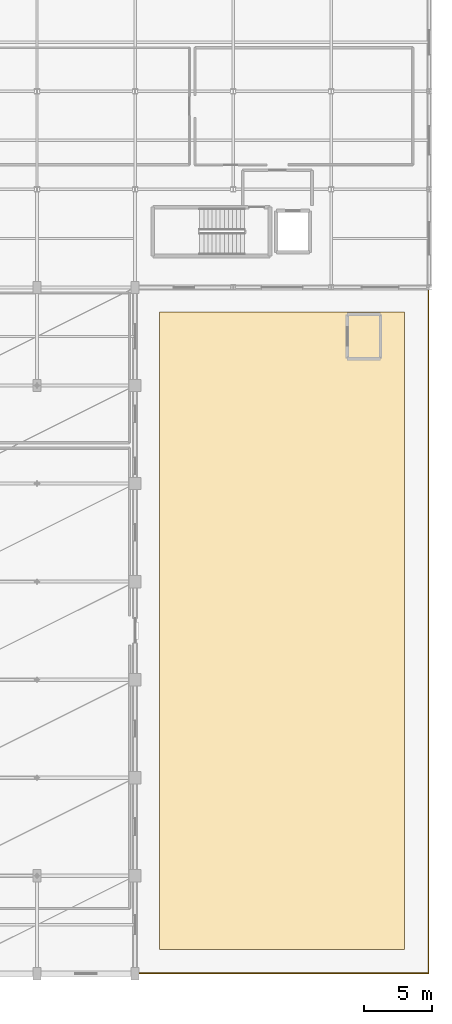
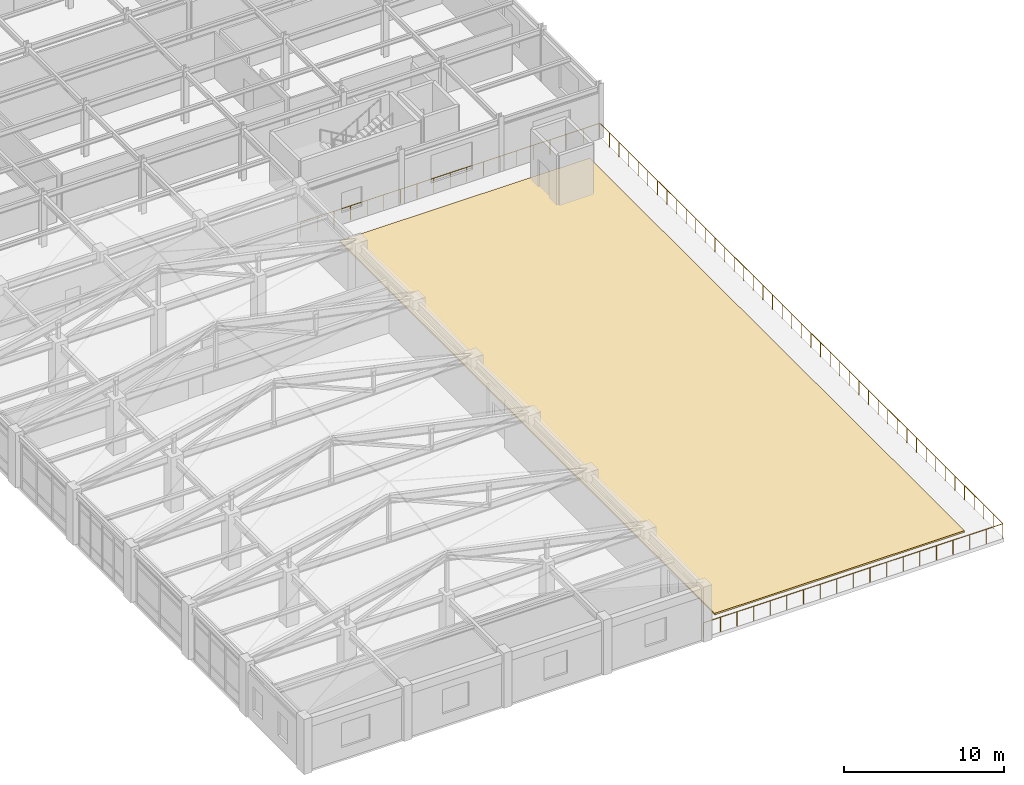
# One storey, part 110 of 113: 1 covering, 1 railing.
"""IFC4 building model written with IfcOpenShell, lengths in metres."""

from ifc_helpers import new_model, si_unit, direction, frame, origin, origin_2d, place, context, subcontext, project, spatial, polyline, circle, outline, extrude, material, layer, layer_set, type_object, element, save


model = new_model("IFC4")

# Units and contexts
model_context = context("Model", 3, precision=1e-05, world=origin(), true_north=direction((0.0, 1.0)))
body_context = subcontext(model_context, "Body", "Model", "MODEL_VIEW")
ifc_project = project(units=[si_unit("LENGTHUNIT", "METRE"), si_unit("AREAUNIT", "SQUARE_METRE"), si_unit("VOLUMEUNIT", "CUBIC_METRE"), si_unit("PLANEANGLEUNIT", "RADIAN"), si_unit("MASSUNIT", "GRAM", prefix="KILO")], contexts=[model_context])

# Site, building, storey
site_placement = place(None, origin())
site = spatial("IfcSite", under=ifc_project, at=site_placement, CompositionType="ELEMENT")
building_placement = place(site_placement, origin())
building = spatial("IfcBuilding", under=site, at=building_placement, Name="Carrowvane Square Congress Hotel", CompositionType="ELEMENT")
storey_placement = place(building_placement, frame((0.0, 0.0, 15.0)))
storey = spatial("IfcBuildingStorey", under=building, at=storey_placement, Name="L03", CompositionType="ELEMENT", Elevation=15.0)

# Covering
ifc_material_1 = material(Name="Extensive sedum green roof substrate", Category="earth")
ifc_layer_1 = layer(ifc_material_1, 0.1201171875)
ifc_layer_set_1 = layer_set([ifc_layer_1], Name="Extensive sedum green roof substrate")
covering_type = type_object("IfcCoveringType", Name="COV-ROOF-SEDUM", PredefinedType="ROOFING", material=ifc_layer_set_1)
covering_placement = place(storey_placement, origin())
element("IfcCovering", 1, at=covering_placement, inside=storey, type_object=covering_type, Name="L03 sedum green roof planting bed 1", PredefinedType="ROOFING", context=body_context, shape_type="SweptSolid", body=[
    extrude(outline(polyline([(164.60009765625, 7.199951171875), (164.60009765625, 54.0), (182.60009765625, 54.0), (182.60009765625, 7.199951171875), (164.60009765625, 7.199951171875)])), origin(), (0.0, 0.0, 1.0), 0.1201171875),
])

# Railing
ifc_material_2 = material(Name="Double-glazed low-E glass", Category="glass")
ifc_layer_2 = layer(ifc_material_2, 0.06005859375)
ifc_layer_set_2 = layer_set([ifc_layer_2], Name="Double-glazed low-E glass")
railing_type = type_object("IfcRailingType", Name="RLG-BAL-GLS1120", PredefinedType="BALUSTRADE", material=ifc_layer_set_2)
railing_placement = place(storey_placement, frame((162.800048828125, 55.75, 0.0)))
element("IfcRailing", 2, at=railing_placement, inside=storey, type_object=railing_type, Name="L03 protective terrace balustrade TER-V2-L03", PredefinedType="BALUSTRADE", context=body_context, shape_type="SweptSolid", body=[
    extrude(circle(Radius=0.02392578125, at=origin_2d()), frame((0.0, 0.0, 1.09619140625), z_axis=(1.0, 0.0, 0.0), x_axis=(0.0, 1.0, 0.0)), (0.0, 0.0, 1.0), 21.550048828125),
    extrude(circle(Radius=0.02392578125, at=origin_2d()), frame((21.550048828125, 0.0, 1.09619140625), z_axis=(0.0, -1.0, 0.0), x_axis=(1.0, 0.0, 0.0)), (0.0, 0.0, 1.0), 50.300048828125),
    extrude(circle(Radius=0.02392578125, at=origin_2d()), frame((21.550048828125, -50.300048828125, 1.09619140625), z_axis=(-1.0, 0.0, 0.0), x_axis=(0.0, -1.0, 0.0)), (0.0, 0.0, 1.0), 21.550048828125),
    extrude(circle(Radius=0.02099609375, at=origin_2d()), origin(), (0.0, 0.0, 1.0), 1.072021484375),
    extrude(circle(Radius=0.02099609375, at=origin_2d()), frame((1.197265625, 0.0, 0.0)), (0.0, 0.0, 1.0), 1.072021484375),
    extrude(circle(Radius=0.02099609375, at=origin_2d()), frame((2.39453125, 0.0, 0.0)), (0.0, 0.0, 1.0), 1.072021484375),
    extrude(circle(Radius=0.02099609375, at=origin_2d()), frame((3.591796875, 0.0, 0.0)), (0.0, 0.0, 1.0), 1.072021484375),
    extrude(circle(Radius=0.02099609375, at=origin_2d()), frame((4.788818359375, 0.0, 0.0)), (0.0, 0.0, 1.0), 1.072021484375),
    extrude(circle(Radius=0.02099609375, at=origin_2d()), frame((5.986083984375, 0.0, 0.0)), (0.0, 0.0, 1.0), 1.072021484375),
    extrude(circle(Radius=0.02099609375, at=origin_2d()), frame((7.183349609375, 0.0, 0.0)), (0.0, 0.0, 1.0), 1.072021484375),
    extrude(circle(Radius=0.02099609375, at=origin_2d()), frame((8.380615234375, 0.0, 0.0)), (0.0, 0.0, 1.0), 1.072021484375),
    extrude(circle(Radius=0.02099609375, at=origin_2d()), frame((9.577880859375, 0.0, 0.0)), (0.0, 0.0, 1.0), 1.072021484375),
    extrude(circle(Radius=0.02099609375, at=origin_2d()), frame((10.77490234375, 0.0, 0.0)), (0.0, 0.0, 1.0), 1.072021484375),
    extrude(circle(Radius=0.02099609375, at=origin_2d()), frame((11.97216796875, 0.0, 0.0)), (0.0, 0.0, 1.0), 1.072021484375),
    extrude(circle(Radius=0.02099609375, at=origin_2d()), frame((13.16943359375, 0.0, 0.0)), (0.0, 0.0, 1.0), 1.072021484375),
    extrude(circle(Radius=0.02099609375, at=origin_2d()), frame((14.36669921875, 0.0, 0.0)), (0.0, 0.0, 1.0), 1.072021484375),
    extrude(circle(Radius=0.02099609375, at=origin_2d()), frame((15.56396484375, 0.0, 0.0)), (0.0, 0.0, 1.0), 1.072021484375),
    extrude(circle(Radius=0.02099609375, at=origin_2d()), frame((16.76123046875, 0.0, 0.0)), (0.0, 0.0, 1.0), 1.072021484375),
    extrude(circle(Radius=0.02099609375, at=origin_2d()), frame((17.95849609375, 0.0, 0.0)), (0.0, 0.0, 1.0), 1.072021484375),
    extrude(circle(Radius=0.02099609375, at=origin_2d()), frame((19.155517578125, 0.0, 0.0)), (0.0, 0.0, 1.0), 1.072021484375),
    extrude(circle(Radius=0.02099609375, at=origin_2d()), frame((20.352783203125, 0.0, 0.0)), (0.0, 0.0, 1.0), 1.072021484375),
    extrude(circle(Radius=0.02099609375, at=origin_2d()), frame((21.550048828125, 0.0, 0.0)), (0.0, 0.0, 1.0), 1.072021484375),
    extrude(circle(Radius=0.02099609375, at=origin_2d()), frame((21.550048828125, -1.197509765625, 0.0)), (0.0, 0.0, 1.0), 1.072021484375),
    extrude(circle(Radius=0.02099609375, at=origin_2d()), frame((21.550048828125, -2.395263671875, 0.0)), (0.0, 0.0, 1.0), 1.072021484375),
    extrude(circle(Radius=0.02099609375, at=origin_2d()), frame((21.550048828125, -3.5927734375, 0.0)), (0.0, 0.0, 1.0), 1.072021484375),
    extrude(circle(Radius=0.02099609375, at=origin_2d()), frame((21.550048828125, -4.79052734375, 0.0)), (0.0, 0.0, 1.0), 1.072021484375),
    extrude(circle(Radius=0.02099609375, at=origin_2d()), frame((21.550048828125, -5.988037109375, 0.0)), (0.0, 0.0, 1.0), 1.072021484375),
    extrude(circle(Radius=0.02099609375, at=origin_2d()), frame((21.550048828125, -7.185791015625, 0.0)), (0.0, 0.0, 1.0), 1.072021484375),
    extrude(circle(Radius=0.02099609375, at=origin_2d()), frame((21.550048828125, -8.38330078125, 0.0)), (0.0, 0.0, 1.0), 1.072021484375),
    extrude(circle(Radius=0.02099609375, at=origin_2d()), frame((21.550048828125, -9.5810546875, 0.0)), (0.0, 0.0, 1.0), 1.072021484375),
    extrude(circle(Radius=0.02099609375, at=origin_2d()), frame((21.550048828125, -10.778564453125, 0.0)), (0.0, 0.0, 1.0), 1.072021484375),
    extrude(circle(Radius=0.02099609375, at=origin_2d()), frame((21.550048828125, -11.976318359375, 0.0)), (0.0, 0.0, 1.0), 1.072021484375),
    extrude(circle(Radius=0.02099609375, at=origin_2d()), frame((21.550048828125, -13.173828125, 0.0)), (0.0, 0.0, 1.0), 1.072021484375),
    extrude(circle(Radius=0.02099609375, at=origin_2d()), frame((21.550048828125, -14.371337890625, 0.0)), (0.0, 0.0, 1.0), 1.072021484375),
    extrude(circle(Radius=0.02099609375, at=origin_2d()), frame((21.550048828125, -15.569091796875, 0.0)), (0.0, 0.0, 1.0), 1.072021484375),
    extrude(circle(Radius=0.02099609375, at=origin_2d()), frame((21.550048828125, -16.7666015625, 0.0)), (0.0, 0.0, 1.0), 1.072021484375),
    extrude(circle(Radius=0.02099609375, at=origin_2d()), frame((21.550048828125, -17.96435546875, 0.0)), (0.0, 0.0, 1.0), 1.072021484375),
    extrude(circle(Radius=0.02099609375, at=origin_2d()), frame((21.550048828125, -19.161865234375, 0.0)), (0.0, 0.0, 1.0), 1.072021484375),
    extrude(circle(Radius=0.02099609375, at=origin_2d()), frame((21.550048828125, -20.359619140625, 0.0)), (0.0, 0.0, 1.0), 1.072021484375),
    extrude(circle(Radius=0.02099609375, at=origin_2d()), frame((21.550048828125, -21.55712890625, 0.0)), (0.0, 0.0, 1.0), 1.072021484375),
    extrude(circle(Radius=0.02099609375, at=origin_2d()), frame((21.550048828125, -22.7548828125, 0.0)), (0.0, 0.0, 1.0), 1.072021484375),
    extrude(circle(Radius=0.02099609375, at=origin_2d()), frame((21.550048828125, -23.952392578125, 0.0)), (0.0, 0.0, 1.0), 1.072021484375),
    extrude(circle(Radius=0.02099609375, at=origin_2d()), frame((21.550048828125, -25.14990234375, 0.0)), (0.0, 0.0, 1.0), 1.072021484375),
    extrude(circle(Radius=0.02099609375, at=origin_2d()), frame((21.550048828125, -26.34765625, 0.0)), (0.0, 0.0, 1.0), 1.072021484375),
    extrude(circle(Radius=0.02099609375, at=origin_2d()), frame((21.550048828125, -27.545166015625, 0.0)), (0.0, 0.0, 1.0), 1.072021484375),
    extrude(circle(Radius=0.02099609375, at=origin_2d()), frame((21.550048828125, -28.742919921875, 0.0)), (0.0, 0.0, 1.0), 1.072021484375),
    extrude(circle(Radius=0.02099609375, at=origin_2d()), frame((21.550048828125, -29.9404296875, 0.0)), (0.0, 0.0, 1.0), 1.072021484375),
    extrude(circle(Radius=0.02099609375, at=origin_2d()), frame((21.550048828125, -31.13818359375, 0.0)), (0.0, 0.0, 1.0), 1.072021484375),
    extrude(circle(Radius=0.02099609375, at=origin_2d()), frame((21.550048828125, -32.335693359375, 0.0)), (0.0, 0.0, 1.0), 1.072021484375),
    extrude(circle(Radius=0.02099609375, at=origin_2d()), frame((21.550048828125, -33.533447265625, 0.0)), (0.0, 0.0, 1.0), 1.072021484375),
    extrude(circle(Radius=0.02099609375, at=origin_2d()), frame((21.550048828125, -34.73095703125, 0.0)), (0.0, 0.0, 1.0), 1.072021484375),
    extrude(circle(Radius=0.02099609375, at=origin_2d()), frame((21.550048828125, -35.9287109375, 0.0)), (0.0, 0.0, 1.0), 1.072021484375),
    extrude(circle(Radius=0.02099609375, at=origin_2d()), frame((21.550048828125, -37.126220703125, 0.0)), (0.0, 0.0, 1.0), 1.072021484375),
    extrude(circle(Radius=0.02099609375, at=origin_2d()), frame((21.550048828125, -38.32373046875, 0.0)), (0.0, 0.0, 1.0), 1.072021484375),
    extrude(circle(Radius=0.02099609375, at=origin_2d()), frame((21.550048828125, -39.521484375, 0.0)), (0.0, 0.0, 1.0), 1.072021484375),
    extrude(circle(Radius=0.02099609375, at=origin_2d()), frame((21.550048828125, -40.718994140625, 0.0)), (0.0, 0.0, 1.0), 1.072021484375),
    extrude(circle(Radius=0.02099609375, at=origin_2d()), frame((21.550048828125, -41.916748046875, 0.0)), (0.0, 0.0, 1.0), 1.072021484375),
    extrude(circle(Radius=0.02099609375, at=origin_2d()), frame((21.550048828125, -43.1142578125, 0.0)), (0.0, 0.0, 1.0), 1.072021484375),
    extrude(circle(Radius=0.02099609375, at=origin_2d()), frame((21.550048828125, -44.31201171875, 0.0)), (0.0, 0.0, 1.0), 1.072021484375),
    extrude(circle(Radius=0.02099609375, at=origin_2d()), frame((21.550048828125, -45.509521484375, 0.0)), (0.0, 0.0, 1.0), 1.072021484375),
    extrude(circle(Radius=0.02099609375, at=origin_2d()), frame((21.550048828125, -46.707275390625, 0.0)), (0.0, 0.0, 1.0), 1.072021484375),
    extrude(circle(Radius=0.02099609375, at=origin_2d()), frame((21.550048828125, -47.90478515625, 0.0)), (0.0, 0.0, 1.0), 1.072021484375),
    extrude(circle(Radius=0.02099609375, at=origin_2d()), frame((21.550048828125, -49.1025390625, 0.0)), (0.0, 0.0, 1.0), 1.072021484375),
    extrude(circle(Radius=0.02099609375, at=origin_2d()), frame((21.550048828125, -50.300048828125, 0.0)), (0.0, 0.0, 1.0), 1.072021484375),
    extrude(circle(Radius=0.02099609375, at=origin_2d()), frame((20.352783203125, -50.300048828125, 0.0)), (0.0, 0.0, 1.0), 1.072021484375),
    extrude(circle(Radius=0.02099609375, at=origin_2d()), frame((19.155517578125, -50.300048828125, 0.0)), (0.0, 0.0, 1.0), 1.072021484375),
    extrude(circle(Radius=0.02099609375, at=origin_2d()), frame((17.95849609375, -50.300048828125, 0.0)), (0.0, 0.0, 1.0), 1.072021484375),
    extrude(circle(Radius=0.02099609375, at=origin_2d()), frame((16.76123046875, -50.300048828125, 0.0)), (0.0, 0.0, 1.0), 1.072021484375),
    extrude(circle(Radius=0.02099609375, at=origin_2d()), frame((15.56396484375, -50.300048828125, 0.0)), (0.0, 0.0, 1.0), 1.072021484375),
    extrude(circle(Radius=0.02099609375, at=origin_2d()), frame((14.36669921875, -50.300048828125, 0.0)), (0.0, 0.0, 1.0), 1.072021484375),
    extrude(circle(Radius=0.02099609375, at=origin_2d()), frame((13.16943359375, -50.300048828125, 0.0)), (0.0, 0.0, 1.0), 1.072021484375),
    extrude(circle(Radius=0.02099609375, at=origin_2d()), frame((11.97216796875, -50.300048828125, 0.0)), (0.0, 0.0, 1.0), 1.072021484375),
    extrude(circle(Radius=0.02099609375, at=origin_2d()), frame((10.77490234375, -50.300048828125, 0.0)), (0.0, 0.0, 1.0), 1.072021484375),
    extrude(circle(Radius=0.02099609375, at=origin_2d()), frame((9.577880859375, -50.300048828125, 0.0)), (0.0, 0.0, 1.0), 1.072021484375),
    extrude(circle(Radius=0.02099609375, at=origin_2d()), frame((8.380615234375, -50.300048828125, 0.0)), (0.0, 0.0, 1.0), 1.072021484375),
    extrude(circle(Radius=0.02099609375, at=origin_2d()), frame((7.183349609375, -50.300048828125, 0.0)), (0.0, 0.0, 1.0), 1.072021484375),
    extrude(circle(Radius=0.02099609375, at=origin_2d()), frame((5.986083984375, -50.300048828125, 0.0)), (0.0, 0.0, 1.0), 1.072021484375),
    extrude(circle(Radius=0.02099609375, at=origin_2d()), frame((4.788818359375, -50.300048828125, 0.0)), (0.0, 0.0, 1.0), 1.072021484375),
    extrude(circle(Radius=0.02099609375, at=origin_2d()), frame((3.591796875, -50.300048828125, 0.0)), (0.0, 0.0, 1.0), 1.072021484375),
    extrude(circle(Radius=0.02099609375, at=origin_2d()), frame((2.39453125, -50.300048828125, 0.0)), (0.0, 0.0, 1.0), 1.072021484375),
    extrude(circle(Radius=0.02099609375, at=origin_2d()), frame((1.197265625, -50.300048828125, 0.0)), (0.0, 0.0, 1.0), 1.072021484375),
    extrude(circle(Radius=0.02099609375, at=origin_2d()), frame((0.0, -50.300048828125, 0.0)), (0.0, 0.0, 1.0), 1.072021484375),
])

save(model, "model.ifc")
